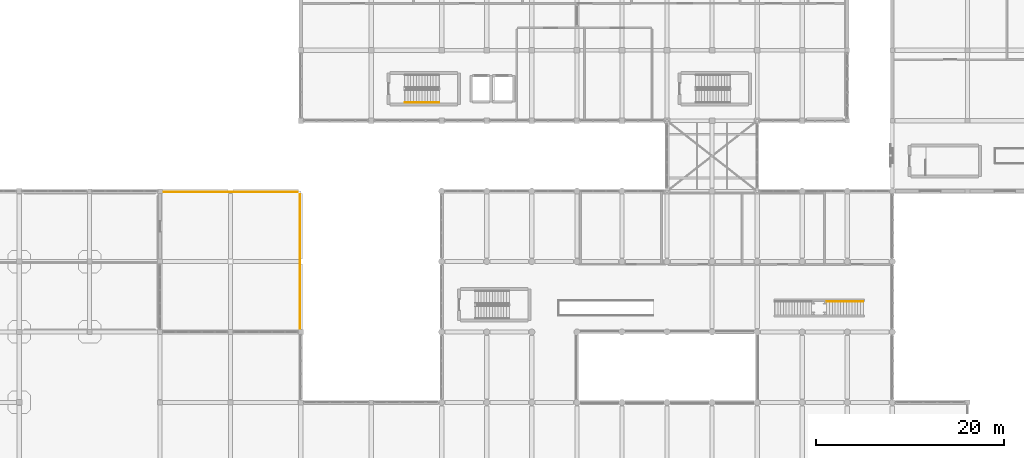
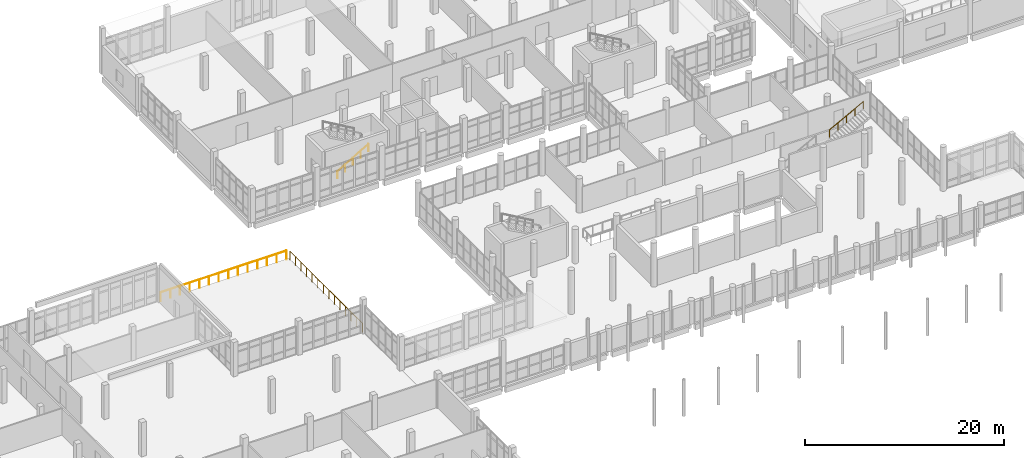
# One storey, part 159 of 164: 4 railings.
"""IFC4 building model written with IfcOpenShell, lengths in metres."""

from ifc_helpers import new_model, si_unit, direction, frame, origin, origin_2d, place, context, subcontext, project, spatial, circle, extrude, material, type_object, element, save


model = new_model("IFC4")

# Units and contexts
model_context = context("Model", 3, precision=1e-05, world=origin(), true_north=direction((0.0, 1.0)))
body_context = subcontext(model_context, "Body", "Model", "MODEL_VIEW")
ifc_project = project(units=[si_unit("LENGTHUNIT", "METRE"), si_unit("AREAUNIT", "SQUARE_METRE"), si_unit("VOLUMEUNIT", "CUBIC_METRE"), si_unit("PLANEANGLEUNIT", "RADIAN"), si_unit("MASSUNIT", "GRAM", prefix="KILO")], contexts=[model_context])

# Site, building, storey
site_placement = place(None, origin())
site = spatial("IfcSite", under=ifc_project, at=site_placement, CompositionType="ELEMENT")
building_placement = place(site_placement, origin())
building = spatial("IfcBuilding", under=site, at=building_placement, Name="Mawjan Specialist Oncology Clinic", CompositionType="ELEMENT")
storey_placement = place(building_placement, frame((0.0, 0.0, 5.0)))
storey = spatial("IfcBuildingStorey", under=building, at=storey_placement, Name="L01", CompositionType="ELEMENT", Elevation=5.0)

# Railings
ifc_material_1 = material(Name="Laminated glass and stainless-steel balustrade", Category="steel")
railing_type_1 = type_object("IfcRailingType", Name="BL-110", PredefinedType="BALUSTRADE", material=ifc_material_1)
railing_1_placement = place(storey_placement, frame((30.080078125, 75.719970703125, 0.0)))
element("IfcRailing", 1, at=railing_1_placement, inside=storey, type_object=railing_type_1, Name="L01 Terrace Edge Balustrade 1", PredefinedType="BALUSTRADE", context=body_context, shape_type="SweptSolid", body=[
    extrude(circle(Radius=0.02392578125, at=origin_2d()), frame((0.0, 0.0, 1.076171875), z_axis=(1.0, 0.0, 0.0), x_axis=(0.0, 1.0, 0.0)), (0.0, 0.0, 1.0), 14.58935546875),
    extrude(circle(Radius=0.02099609375, at=origin_2d()), origin(), (0.0, 0.0, 1.0), 1.052001953125),
    extrude(circle(Radius=0.02099609375, at=origin_2d()), frame((1.122314453125, 0.0, 0.0)), (0.0, 0.0, 1.0), 1.052001953125),
    extrude(circle(Radius=0.02099609375, at=origin_2d()), frame((2.24462890625, 0.0, 0.0)), (0.0, 0.0, 1.0), 1.052001953125),
    extrude(circle(Radius=0.02099609375, at=origin_2d()), frame((3.36669921875, 0.0, 0.0)), (0.0, 0.0, 1.0), 1.052001953125),
    extrude(circle(Radius=0.02099609375, at=origin_2d()), frame((4.489013671875, 0.0, 0.0)), (0.0, 0.0, 1.0), 1.052001953125),
    extrude(circle(Radius=0.02099609375, at=origin_2d()), frame((5.611328125, 0.0, 0.0)), (0.0, 0.0, 1.0), 1.052001953125),
    extrude(circle(Radius=0.02099609375, at=origin_2d()), frame((6.733642578125, 0.0, 0.0)), (0.0, 0.0, 1.0), 1.052001953125),
    extrude(circle(Radius=0.02099609375, at=origin_2d()), frame((7.855712890625, 0.0, 0.0)), (0.0, 0.0, 1.0), 1.052001953125),
    extrude(circle(Radius=0.02099609375, at=origin_2d()), frame((8.97802734375, 0.0, 0.0)), (0.0, 0.0, 1.0), 1.052001953125),
    extrude(circle(Radius=0.02099609375, at=origin_2d()), frame((10.100341796875, 0.0, 0.0)), (0.0, 0.0, 1.0), 1.052001953125),
    extrude(circle(Radius=0.02099609375, at=origin_2d()), frame((11.22265625, 0.0, 0.0)), (0.0, 0.0, 1.0), 1.052001953125),
    extrude(circle(Radius=0.02099609375, at=origin_2d()), frame((12.3447265625, 0.0, 0.0)), (0.0, 0.0, 1.0), 1.052001953125),
    extrude(circle(Radius=0.02099609375, at=origin_2d()), frame((13.467041015625, 0.0, 0.0)), (0.0, 0.0, 1.0), 1.052001953125),
    extrude(circle(Radius=0.02099609375, at=origin_2d()), frame((14.58935546875, 0.0, 0.0)), (0.0, 0.0, 1.0), 1.052001953125),
])
railing_2_placement = place(storey_placement, frame((44.919921875, 75.454345703125, 0.0)))
element("IfcRailing", 2, at=railing_2_placement, inside=storey, type_object=railing_type_1, Name="L01 Terrace Edge Balustrade 2", PredefinedType="BALUSTRADE", context=body_context, shape_type="SweptSolid", body=[
    extrude(circle(Radius=0.02392578125, at=origin_2d()), frame((0.0, 0.0, 1.076171875), z_axis=(0.0, -1.0, 0.0), x_axis=(1.0, 0.0, 0.0)), (0.0, 0.0, 1.0), 14.574462890625),
    extrude(circle(Radius=0.02099609375, at=origin_2d()), origin(), (0.0, 0.0, 1.0), 1.052001953125),
    extrude(circle(Radius=0.02099609375, at=origin_2d()), frame((0.0, -1.12109375, 0.0)), (0.0, 0.0, 1.0), 1.052001953125),
    extrude(circle(Radius=0.02099609375, at=origin_2d()), frame((0.0, -2.2421875, 0.0)), (0.0, 0.0, 1.0), 1.052001953125),
    extrude(circle(Radius=0.02099609375, at=origin_2d()), frame((0.0, -3.36328125, 0.0)), (0.0, 0.0, 1.0), 1.052001953125),
    extrude(circle(Radius=0.02099609375, at=origin_2d()), frame((0.0, -4.484375, 0.0)), (0.0, 0.0, 1.0), 1.052001953125),
    extrude(circle(Radius=0.02099609375, at=origin_2d()), frame((0.0, -5.60546875, 0.0)), (0.0, 0.0, 1.0), 1.052001953125),
    extrude(circle(Radius=0.02099609375, at=origin_2d()), frame((0.0, -6.7265625, 0.0)), (0.0, 0.0, 1.0), 1.052001953125),
    extrude(circle(Radius=0.02099609375, at=origin_2d()), frame((0.0, -7.847900390625, 0.0)), (0.0, 0.0, 1.0), 1.052001953125),
    extrude(circle(Radius=0.02099609375, at=origin_2d()), frame((0.0, -8.968994140625, 0.0)), (0.0, 0.0, 1.0), 1.052001953125),
    extrude(circle(Radius=0.02099609375, at=origin_2d()), frame((0.0, -10.090087890625, 0.0)), (0.0, 0.0, 1.0), 1.052001953125),
    extrude(circle(Radius=0.02099609375, at=origin_2d()), frame((0.0, -11.211181640625, 0.0)), (0.0, 0.0, 1.0), 1.052001953125),
    extrude(circle(Radius=0.02099609375, at=origin_2d()), frame((0.0, -12.332275390625, 0.0)), (0.0, 0.0, 1.0), 1.052001953125),
    extrude(circle(Radius=0.02099609375, at=origin_2d()), frame((0.0, -13.453369140625, 0.0)), (0.0, 0.0, 1.0), 1.052001953125),
    extrude(circle(Radius=0.02099609375, at=origin_2d()), frame((0.0, -14.574462890625, 0.0)), (0.0, 0.0, 1.0), 1.052001953125),
])
ifc_material_2 = material(Name="Brushed stainless-steel tubular handrail", Category="steel")
railing_type_2 = type_object("IfcRailingType", Name="HR-090", PredefinedType="HANDRAIL", material=ifc_material_2)
railing_3_placement = place(storey_placement, frame((56.10009765625, 85.25, 0.173095703125)))
element("IfcRailing", 3, at=railing_3_placement, inside=storey, type_object=railing_type_2, Name="L01 ST-03 stair handrail 1", PredefinedType="HANDRAIL", context=body_context, shape_type="SweptSolid", body=[
    extrude(circle(Radius=0.02392578125, at=origin_2d()), frame((0.0, 0.0, 0.8759765625), z_axis=(0.866178740119, 0.0, 0.499734319579), x_axis=(0.0, 1.0, 0.0)), (0.0, 0.0, 1.0), 4.156005859375),
    extrude(circle(Radius=0.02099609375, at=origin_2d()), origin(), (0.0, 0.0, 1.0), 0.851806640625),
    extrude(circle(Radius=0.02099609375, at=origin_2d()), frame((0.89990234375, 0.0, 0.519287109375)), (0.0, 0.0, 1.0), 0.851806640625),
    extrude(circle(Radius=0.02099609375, at=origin_2d()), frame((1.7998046875, 0.0, 1.03857421875)), (0.0, 0.0, 1.0), 0.851806640625),
    extrude(circle(Radius=0.02099609375, at=origin_2d()), frame((2.699951171875, 0.0, 1.5576171875)), (0.0, 0.0, 1.0), 0.851806640625),
    extrude(circle(Radius=0.02099609375, at=origin_2d()), frame((3.599853515625, 0.0, 2.076904296875)), (0.0, 0.0, 1.0), 0.851806640625),
])
railing_4_placement = place(storey_placement, frame((101.0, 64.02490234375, 2.41064453125)))
element("IfcRailing", 4, at=railing_4_placement, inside=storey, type_object=railing_type_2, Name="ST-13 Communicating Stair Handrail 2", PredefinedType="HANDRAIL", context=body_context, shape_type="SweptSolid", body=[
    extrude(circle(Radius=0.02392578125, at=origin_2d()), frame((0.0, 0.0, 0.8759765625), z_axis=(0.881468485026, 0.0, 0.472242850561), x_axis=(0.0, 1.0, 0.0)), (0.0, 0.0, 1.0), 4.42431640625),
    extrude(circle(Radius=0.02099609375, at=origin_2d()), origin(), (0.0, 0.0, 1.0), 0.851806640625),
    extrude(circle(Radius=0.02099609375, at=origin_2d()), frame((0.97509765625, 0.0, 0.5224609375)), (0.0, 0.0, 1.0), 0.851806640625),
    extrude(circle(Radius=0.02099609375, at=origin_2d()), frame((1.949951171875, 0.0, 1.044677734375)), (0.0, 0.0, 1.0), 0.851806640625),
    extrude(circle(Radius=0.02099609375, at=origin_2d()), frame((2.9248046875, 0.0, 1.56689453125)), (0.0, 0.0, 1.0), 0.851806640625),
    extrude(circle(Radius=0.02099609375, at=origin_2d()), frame((3.89990234375, 0.0, 2.08935546875)), (0.0, 0.0, 1.0), 0.851806640625),
])

save(model, "model.ifc")
